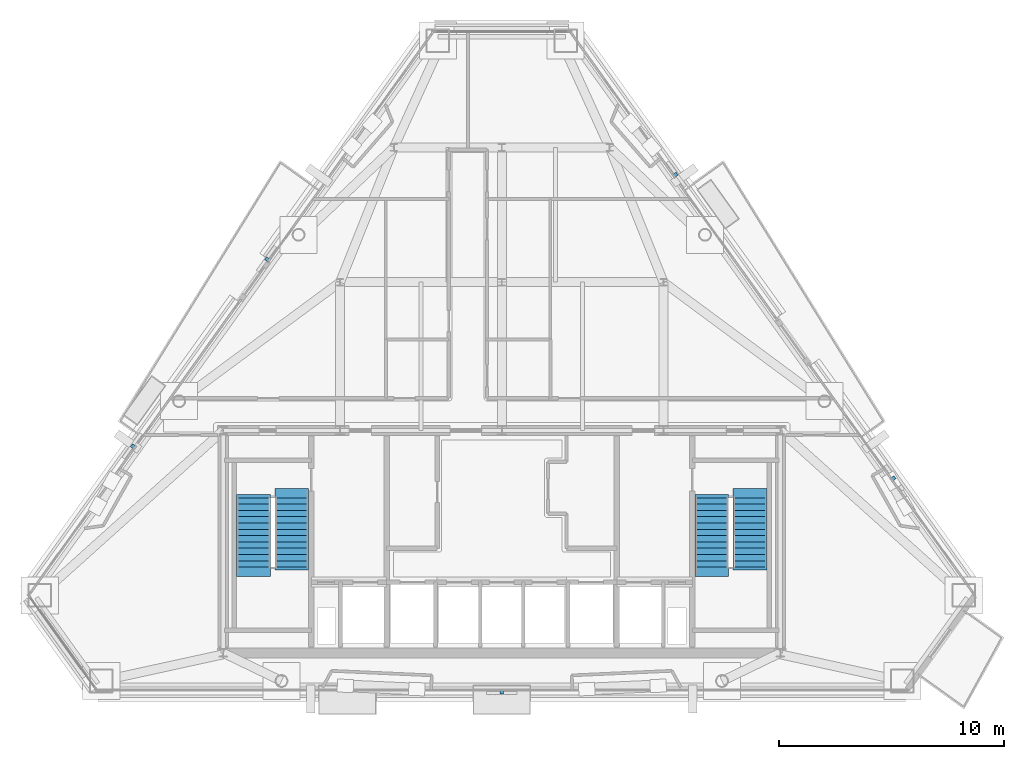
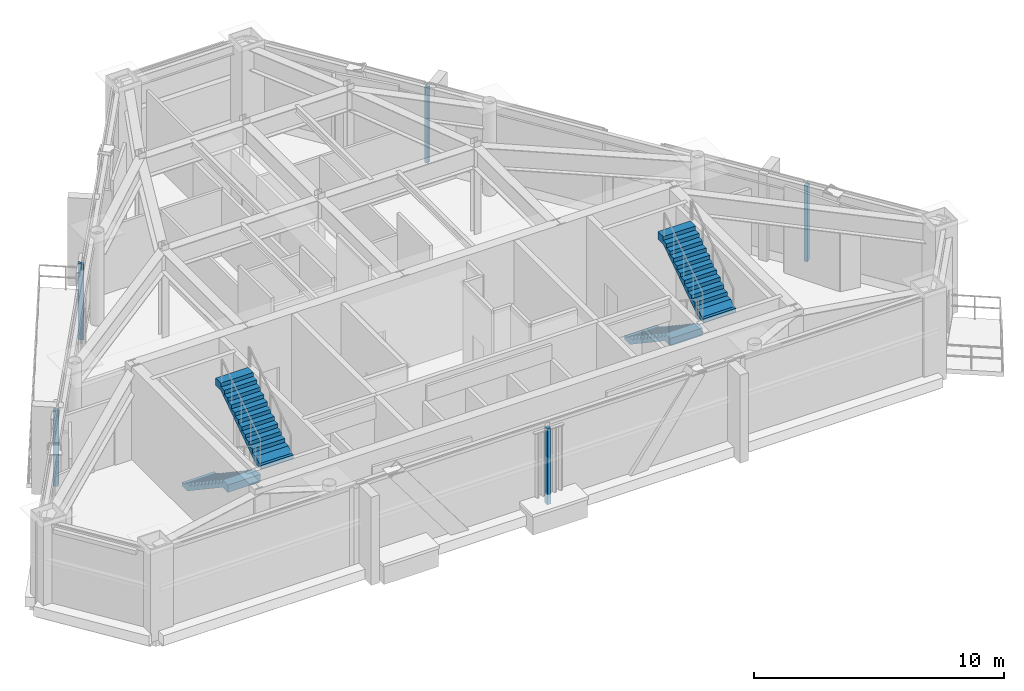
# One storey, part 9 of 11: 5 discrete accessories, 4 stair flights, 2 elements without a shape of their own.
"""IFC4 building model written with IfcOpenShell, lengths in metres."""

from ifc_helpers import new_model, si_unit, direction, frame, origin, origin_2d, place, context, subcontext, project, spatial, polyline, rectangle, outline, extrude, source, transform, mapped, material, layer, layer_set, type_object, type_shapes, element, aggregate, save


model = new_model("IFC4")

# Units and contexts
model_context = context("Model", 3, precision=1e-05, world=origin(), true_north=direction((0.0, 1.0)))
body_context = subcontext(model_context, "Body", "Model", "MODEL_VIEW")
ifc_project = project(units=[si_unit("LENGTHUNIT", "METRE"), si_unit("AREAUNIT", "SQUARE_METRE"), si_unit("VOLUMEUNIT", "CUBIC_METRE"), si_unit("PLANEANGLEUNIT", "RADIAN"), si_unit("MASSUNIT", "GRAM", prefix="KILO")], contexts=[model_context])

# Site, building, storey
site_placement = place(None, origin())
site = spatial("IfcSite", under=ifc_project, at=site_placement, CompositionType="ELEMENT")
building_placement = place(site_placement, origin())
building = spatial("IfcBuilding", under=site, at=building_placement, Name="Talgorran Terracotta Tower", CompositionType="ELEMENT")
storey_placement = place(building_placement, frame((0.0, 0.0, 228.89990234375)))
storey = spatial("IfcBuildingStorey", under=building, at=storey_placement, Name="L60", CompositionType="ELEMENT", Elevation=228.89990234375)

# Stair, stair flights
ifc_material_1 = material(Name="Concrete C40/50", Category="concrete")
stair_type = type_object("IfcStairType", Name="ST_FIRE_SCISSOR", PredefinedType="HALF_TURN_STAIR", material=ifc_material_1)
stair_1_placement = place(storey_placement, origin())
stair_1 = element("IfcStair", 1, at=stair_1_placement, inside=storey, type_object=stair_type, Name="L60 West Protected Fire Stair ST-01", PredefinedType="HALF_TURN_STAIR")
ifc_layer_1 = layer(ifc_material_1, 0.179931640625, Name="STF_RC_1500")
ifc_layer_set_1 = layer_set([ifc_layer_1], Name="Concrete C40/50")
stair_flight_type = type_object("IfcStairFlightType", Name="STF_RC_1500", PredefinedType="STRAIGHT", material=ifc_layer_set_1)
stair_flight_1_placement = place(storey_placement, frame((-11.050048828125, -7.199951171875, 0.0), z_axis=(0.0, 0.0, 1.0), x_axis=(0.0, -1.0, 0.0)))
stair_flight_1 = element("IfcStairFlight", 2, at=stair_flight_1_placement, type_object=stair_flight_type, Name="ST-01 flight 1", NumberOfRisers=12, NumberOfTreads=11, PredefinedType="STRAIGHT", RiserHeight=0.1875, TreadLength=0.28, context=body_context, shape_type="SweptSolid", body=[
    extrude(outline(polyline([(-0.139892578125, 0.0), (-0.139892578125, 0.1875), (0.0, 0.1875), (0.280029296875, 0.375), (0.56005859375, 0.375), (0.56005859375, 0.5625), (0.840087890625, 0.5625), (0.840087890625, 0.75), (1.1201171875, 0.75), (1.1201171875, 0.9375), (1.39990234375, 0.9375), (1.39990234375, 1.125), (1.679931640625, 1.125), (1.679931640625, 1.3125), (1.9599609375, 1.3125), (1.9599609375, 1.5), (2.239990234375, 1.5), (2.239990234375, 1.6875), (2.52001953125, 1.6875), (2.52001953125, 1.875), (2.800048828125, 1.875), (2.800048828125, 2.0625), (3.080078125, 2.0625), (3.080078125, 2.25), (3.5, 2.25), (3.5, 1.882080078125), (3.080078125, 1.882080078125), (0.26953125, 0.0), (-0.139892578125, 0.0)])), frame((0.0, 0.75, 0.0), z_axis=(0.0, -1.0, 0.0), x_axis=(1.0, 0.0, 0.0)), (0.0, 0.0, 1.0), 1.5),
])
stair_flight_2_placement = place(storey_placement, frame((-9.35009765625, -10.280029296875, 2.25), z_axis=(0.0, 0.0, 1.0), x_axis=(0.0, 1.0, 0.0)))
stair_flight_2 = element("IfcStairFlight", 3, at=stair_flight_2_placement, type_object=stair_flight_type, Name="ST-01 flight 2", NumberOfRisers=12, NumberOfTreads=11, PredefinedType="STRAIGHT", RiserHeight=0.1875, TreadLength=0.28, context=body_context, shape_type="SweptSolid", body=[
    extrude(outline(polyline([(-0.139892578125, 0.0), (-0.139892578125, 0.1875), (0.0, 0.1875), (0.280029296875, 0.375), (0.56005859375, 0.375), (0.56005859375, 0.5625), (0.840087890625, 0.5625), (0.840087890625, 0.75), (1.1201171875, 0.75), (1.1201171875, 0.9375), (1.39990234375, 0.9375), (1.39990234375, 1.125), (1.679931640625, 1.125), (1.679931640625, 1.3125), (1.9599609375, 1.3125), (1.9599609375, 1.5), (2.239990234375, 1.5), (2.239990234375, 1.6875), (2.52001953125, 1.6875), (2.52001953125, 1.875), (2.800048828125, 1.875), (2.800048828125, 2.0625), (3.080078125, 2.0625), (3.080078125, 2.25), (3.5, 2.25), (3.5, 1.882080078125), (3.080078125, 1.882080078125), (0.26953125, 0.0), (-0.139892578125, 0.0)])), frame((0.0, 0.75, 0.0), z_axis=(0.0, -1.0, 0.0), x_axis=(1.0, 0.0, 0.0)), (0.0, 0.0, 1.0), 1.5),
])
aggregate(stair_1, [stair_flight_1, stair_flight_2])

stair_2_placement = place(storey_placement, origin())
stair_2 = element("IfcStair", 4, at=stair_2_placement, inside=storey, type_object=stair_type, Name="L60 East Protected Fire Stair ST-02", PredefinedType="HALF_TURN_STAIR")
stair_flight_3_placement = place(storey_placement, frame((9.35009765625, -7.199951171875, 0.0), z_axis=(0.0, 0.0, 1.0), x_axis=(0.0, -1.0, 0.0)))
stair_flight_3 = element("IfcStairFlight", 5, at=stair_flight_3_placement, type_object=stair_flight_type, Name="ST-02 flight 1", NumberOfRisers=12, NumberOfTreads=11, PredefinedType="STRAIGHT", RiserHeight=0.1875, TreadLength=0.28, context=body_context, shape_type="SweptSolid", body=[
    extrude(outline(polyline([(-0.139892578125, 0.0), (-0.139892578125, 0.1875), (0.0, 0.1875), (0.280029296875, 0.375), (0.56005859375, 0.375), (0.56005859375, 0.5625), (0.840087890625, 0.5625), (0.840087890625, 0.75), (1.1201171875, 0.75), (1.1201171875, 0.9375), (1.39990234375, 0.9375), (1.39990234375, 1.125), (1.679931640625, 1.125), (1.679931640625, 1.3125), (1.9599609375, 1.3125), (1.9599609375, 1.5), (2.239990234375, 1.5), (2.239990234375, 1.6875), (2.52001953125, 1.6875), (2.52001953125, 1.875), (2.800048828125, 1.875), (2.800048828125, 2.0625), (3.080078125, 2.0625), (3.080078125, 2.25), (3.5, 2.25), (3.5, 1.882080078125), (3.080078125, 1.882080078125), (0.26953125, 0.0), (-0.139892578125, 0.0)])), frame((0.0, 0.75, 0.0), z_axis=(0.0, -1.0, 0.0), x_axis=(1.0, 0.0, 0.0)), (0.0, 0.0, 1.0), 1.5),
])
stair_flight_4_placement = place(storey_placement, frame((11.050048828125, -10.280029296875, 2.25), z_axis=(0.0, 0.0, 1.0), x_axis=(0.0, 1.0, 0.0)))
stair_flight_4 = element("IfcStairFlight", 6, at=stair_flight_4_placement, type_object=stair_flight_type, Name="ST-02 flight 2", NumberOfRisers=12, NumberOfTreads=11, PredefinedType="STRAIGHT", RiserHeight=0.1875, TreadLength=0.28, context=body_context, shape_type="SweptSolid", body=[
    extrude(outline(polyline([(-0.139892578125, 0.0), (-0.139892578125, 0.1875), (0.0, 0.1875), (0.280029296875, 0.375), (0.56005859375, 0.375), (0.56005859375, 0.5625), (0.840087890625, 0.5625), (0.840087890625, 0.75), (1.1201171875, 0.75), (1.1201171875, 0.9375), (1.39990234375, 0.9375), (1.39990234375, 1.125), (1.679931640625, 1.125), (1.679931640625, 1.3125), (1.9599609375, 1.3125), (1.9599609375, 1.5), (2.239990234375, 1.5), (2.239990234375, 1.6875), (2.52001953125, 1.6875), (2.52001953125, 1.875), (2.800048828125, 1.875), (2.800048828125, 2.0625), (3.080078125, 2.0625), (3.080078125, 2.25), (3.5, 2.25), (3.5, 1.882080078125), (3.080078125, 1.882080078125), (0.26953125, 0.0), (-0.139892578125, 0.0)])), frame((0.0, 0.75, 0.0), z_axis=(0.0, -1.0, 0.0), x_axis=(1.0, 0.0, 0.0)), (0.0, 0.0, 1.0), 1.5),
])
aggregate(stair_2, [stair_flight_3, stair_flight_4])

# Discrete accessories
ifc_material_2 = material(Name="Stainless Steel Grade 316", Category="steel")
ifc_layer_2 = layer(ifc_material_2, 0.080078125, Name="ACC_BAGUETTE_BRKT")
ifc_layer_set_2 = layer_set([ifc_layer_2], Name="Stainless Steel Grade 316")
discrete_accessory_type = type_object("IfcDiscreteAccessoryType", Name="ACC_BAGUETTE_BRKT", PredefinedType="BRACKET", material=ifc_layer_set_2)
shared_shape = source(origin(), body_context, "Body", "SweptSolid", [
    extrude(rectangle(XDim=0.159912109375, YDim=0.219970703125, at=origin_2d()), origin(), (0.0, 0.0, 1.0), 3.695068359375),
])
type_shapes(discrete_accessory_type, [shared_shape])
for number, where, z_axis, x_axis, name in (
    (7, (0.0, -15.822265625, 0.35009765625), (0.0, 0.0, 1.0), (1.0, 0.0, 0.0), "BRK-L60-F1"),
    (8, (17.415283203125, -6.3427734375, 0.35009765625), (0.0, 0.0, 1.0), (-0.583115925445, 0.812388957023, 0.0), "BRK-L60-F40"),
    (9, (7.7158203125, 7.170166015625, 0.35009765625), (0.0, 0.0, 1.0), (-0.583115925445, 0.812388957023, 0.0), "BRK-L60-F41"),
    (10, (-10.42041015625, 3.40234375, 0.35009765625), (0.0, 0.0, 1.0), (-0.583115925445, -0.812388957023, 0.0), "BRK-L60-F60"),
    (11, (-16.396484375, -4.923583984375, 0.35009765625), (0.0, 0.0, 1.0), (-0.583115925445, -0.812388957023, 0.0), "BRK-L60-F61"),
):
    element("IfcDiscreteAccessory", number, at=place(storey_placement, frame(where, z_axis=z_axis, x_axis=x_axis)), inside=storey, type_object=discrete_accessory_type, Name=name, PredefinedType="BRACKET", context=body_context, shape_type="MappedRepresentation", body=[
        mapped(shared_shape, transform((0.0, 0.0, 0.0), scale=1.0)),
    ])

save(model, "model.ifc")
